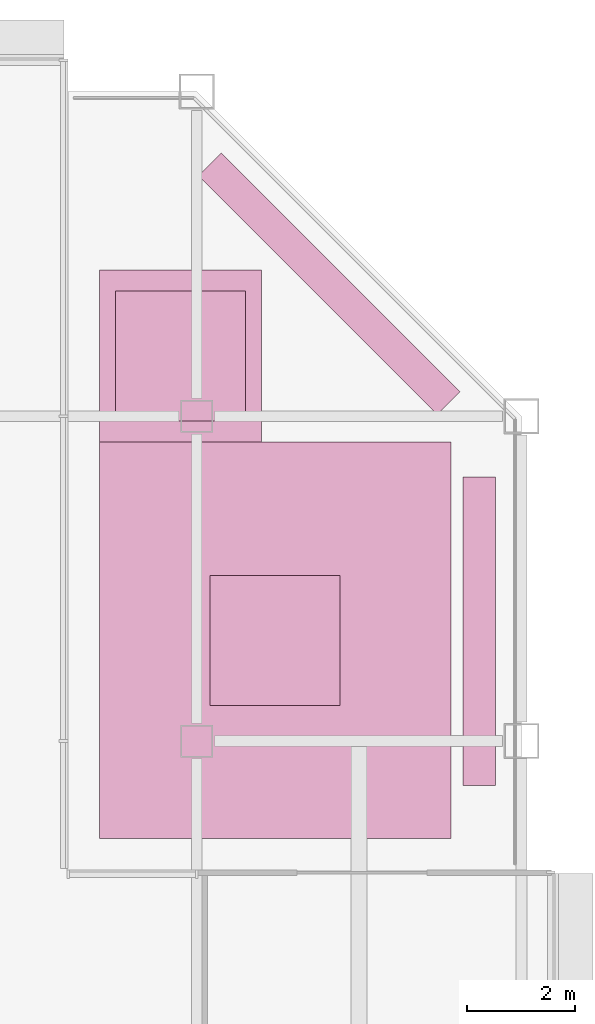
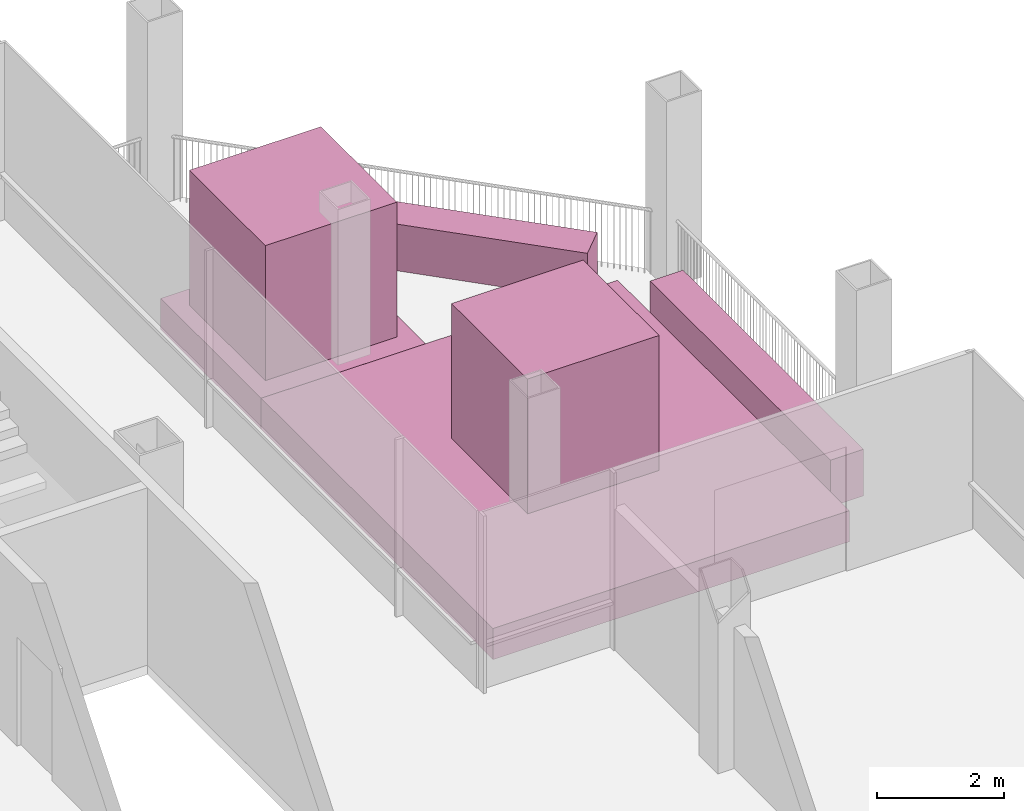
# One storey, part 29 of 29: 6 furniture elements.
"""IFC4 building model written with IfcOpenShell, lengths in metres."""

from ifc_helpers import new_model, si_unit, direction, frame, origin, origin_2d, place, context, subcontext, project, spatial, rectangle, extrude, material, type_object, element, save


model = new_model("IFC4")

# Units and contexts
model_context = context("Model", 3, precision=1e-05, world=origin(), true_north=direction((0.0, 1.0)))
body_context = subcontext(model_context, "Body", "Model", "MODEL_VIEW")
ifc_project = project(units=[si_unit("LENGTHUNIT", "METRE"), si_unit("AREAUNIT", "SQUARE_METRE"), si_unit("VOLUMEUNIT", "CUBIC_METRE"), si_unit("PLANEANGLEUNIT", "RADIAN"), si_unit("MASSUNIT", "GRAM", prefix="KILO")], contexts=[model_context])

# Site, building, storey
site_placement = place(None, origin())
site = spatial("IfcSite", under=ifc_project, at=site_placement, CompositionType="ELEMENT")
building_placement = place(site_placement, origin())
building = spatial("IfcBuilding", under=site, at=building_placement, Name="Sorahane Residences", CompositionType="ELEMENT")
storey_placement = place(building_placement, frame((0.0, 0.0, 199.199951171875)))
storey = spatial("IfcBuildingStorey", under=building, at=storey_placement, Name="L46", CompositionType="ELEMENT", Elevation=199.199951171875)

# Furniture
ifc_material_1 = material(Name="Planting soil with shrubs in a steel-framed bed", Category="steel")
furniture_type_1 = type_object("IfcFurnitureType", Name="PLANTER bed black steel frame with soil 3000x3176", AssemblyPlace="NOTDEFINED", PredefinedType="NOTDEFINED", material=ifc_material_1)
furniture_1_placement = place(storey_placement, frame((47.699951171875, 43.11181640625, 0.0), z_axis=(0.0, 0.0, 1.0), x_axis=(1.0, 0.0, 0.0)))
element("IfcFurniture", 1, at=furniture_1_placement, inside=storey, type_object=furniture_type_1, Name="PLANTER bed L46.1.2", PredefinedType="NOTDEFINED", context=body_context, shape_type="SweptSolid", body=[
    extrude(rectangle(XDim=3.0, YDim=3.17626953125, at=origin_2d()), origin(), (0.0, 0.0, 1.0), 0.60009765625),
])
ifc_material_2 = material(Name="Planting soil with shrubs in a steel-framed bed", Category="steel")
furniture_type_2 = type_object("IfcFurnitureType", Name="PLANTER bed black steel frame with soil 6500x7324", AssemblyPlace="NOTDEFINED", PredefinedType="NOTDEFINED", material=ifc_material_2)
furniture_2_placement = place(storey_placement, frame((49.449951171875, 37.86181640625, 0.0), z_axis=(0.0, 0.0, 1.0), x_axis=(1.0, 0.0, 0.0)))
element("IfcFurniture", 2, at=furniture_2_placement, inside=storey, type_object=furniture_type_2, Name="PLANTER bed L46.1.1", PredefinedType="NOTDEFINED", context=body_context, shape_type="SweptSolid", body=[
    extrude(rectangle(XDim=6.5, YDim=7.32373046875, at=origin_2d()), origin(), (0.0, 0.0, 1.0), 0.60009765625),
])
ifc_material_3 = material(Name="Planting soil with hedge in a steel-framed trough", Category="steel")
furniture_type_3 = type_object("IfcFurnitureType", Name="PLANTER hedge strip black steel frame with soil", AssemblyPlace="NOTDEFINED", PredefinedType="NOTDEFINED", material=ifc_material_3)
furniture_3_placement = place(storey_placement, frame((50.448486328125, 44.448486328125, 0.0), z_axis=(0.0, 0.0, 1.0), x_axis=(0.707106781187, -0.707106781187, 0.0)))
element("IfcFurniture", 3, at=furniture_3_placement, inside=storey, type_object=furniture_type_3, Name="PLANTER hedge L46.1.1", PredefinedType="NOTDEFINED", context=body_context, shape_type="SweptSolid", body=[
    extrude(rectangle(XDim=6.239013671875, YDim=0.60009765625, at=origin_2d()), origin(), (0.0, 0.0, 1.0), 0.89990234375),
])
furniture_4_placement = place(storey_placement, frame((53.219970703125, 38.028564453125, 0.0), z_axis=(0.0, 0.0, 1.0), x_axis=(0.0, -1.0, 0.0)))
element("IfcFurniture", 4, at=furniture_4_placement, inside=storey, type_object=furniture_type_3, Name="PLANTER hedge L46.1.2", PredefinedType="NOTDEFINED", context=body_context, shape_type="SweptSolid", body=[
    extrude(rectangle(XDim=5.697021484375, YDim=0.60009765625, at=origin_2d()), origin(), (0.0, 0.0, 1.0), 0.89990234375),
])
ifc_material_4 = material(Name="Green foliage shrub planting")
furniture_type_4 = type_object("IfcFurnitureType", Name="PLANTER shrub planting green foliage", AssemblyPlace="NOTDEFINED", PredefinedType="NOTDEFINED", material=ifc_material_4)
for number, where, z_axis, x_axis, name in (
    (5, (49.449951171875, 37.86181640625, 0.60009765625), (0.0, 0.0, 1.0), (1.0, 0.0, 0.0), "PLANTER shrub L46.1.1"),
    (6, (47.699951171875, 43.11181640625, 0.60009765625), (0.0, 0.0, 1.0), (1.0, 0.0, 0.0), "PLANTER shrub L46.1.2"),
):
    element("IfcFurniture", number, at=place(storey_placement, frame(where, z_axis=z_axis, x_axis=x_axis)), inside=storey, type_object=furniture_type_4, Name=name, PredefinedType="NOTDEFINED", context=body_context, shape_type="SweptSolid", body=[
        extrude(rectangle(XDim=2.39990234375, YDim=2.39990234375, at=origin_2d()), origin(), (0.0, 0.0, 1.0), 2.60009765625),
    ])

save(model, "model.ifc")
